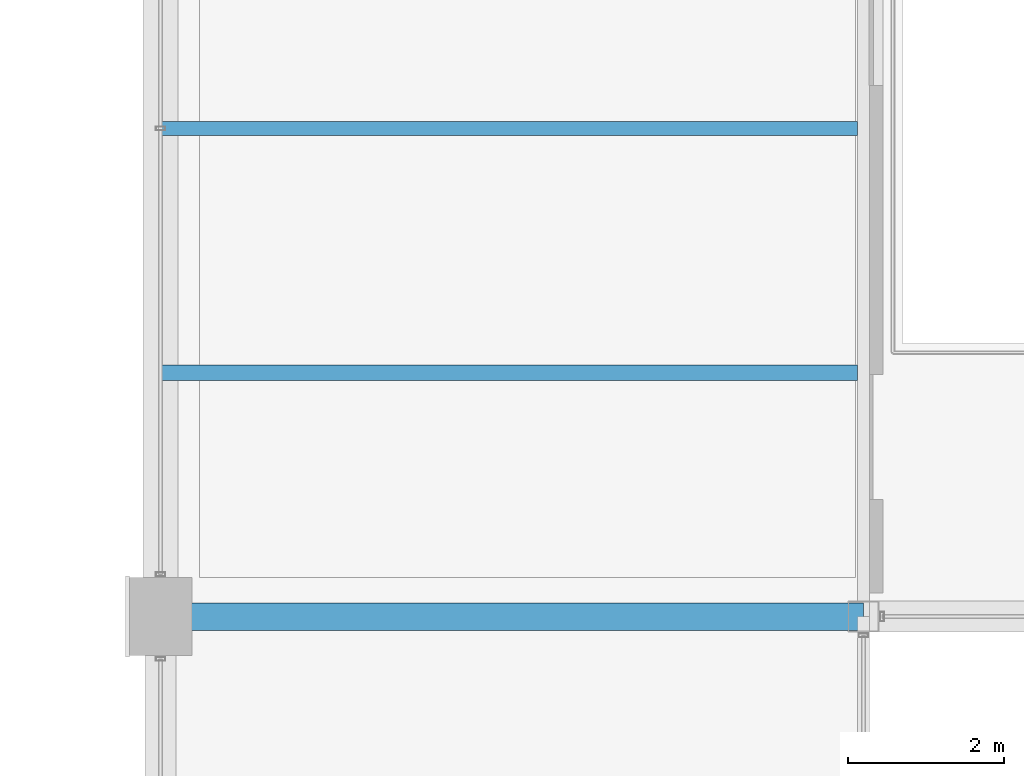
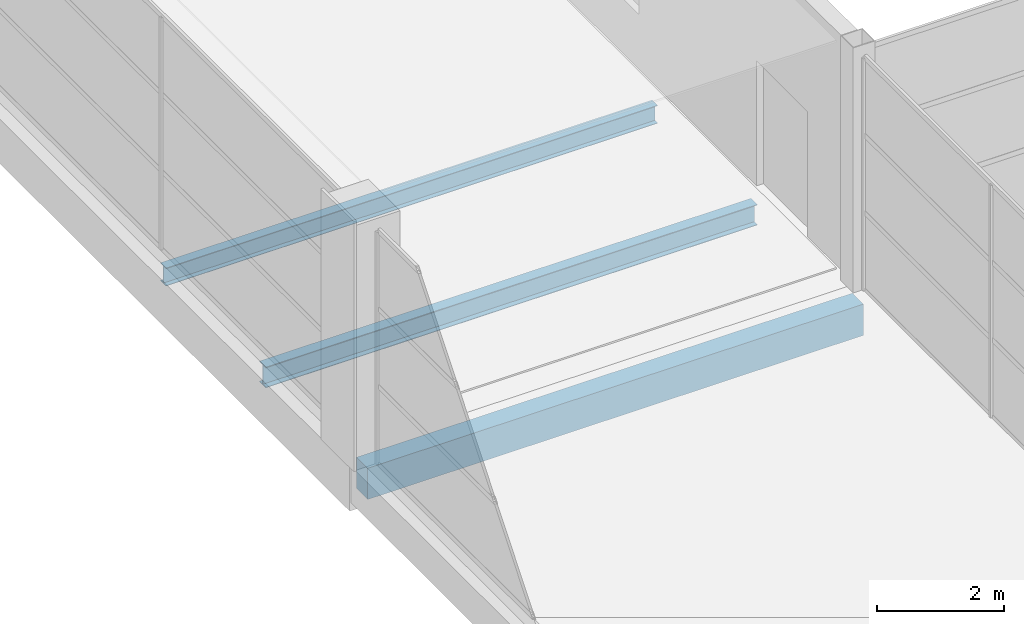
# One storey, part 73 of 112: 3 beams.
"""IFC4 building model written with IfcOpenShell, lengths in metres."""

from ifc_helpers import new_model, si_unit, direction, frame, origin, origin_2d, place, context, subcontext, project, spatial, rectangle, i_section, extrude, material, material_profile, profile_set, type_object, element, save


model = new_model("IFC4")

# Units and contexts
model_context = context("Model", 3, precision=1e-05, world=origin(), true_north=direction((0.0, 1.0)))
body_context = subcontext(model_context, "Body", "Model", "MODEL_VIEW")
ifc_project = project(units=[si_unit("LENGTHUNIT", "METRE"), si_unit("AREAUNIT", "SQUARE_METRE"), si_unit("VOLUMEUNIT", "CUBIC_METRE"), si_unit("PLANEANGLEUNIT", "RADIAN"), si_unit("MASSUNIT", "GRAM", prefix="KILO")], contexts=[model_context])

# Site, building, storey
site_placement = place(None, origin())
site = spatial("IfcSite", under=ifc_project, at=site_placement, CompositionType="ELEMENT")
building_placement = place(site_placement, origin())
building = spatial("IfcBuilding", under=site, at=building_placement, Name="Solvikara Media Centre", CompositionType="ELEMENT")
storey_placement = place(building_placement, frame((0.0, 0.0, 5.39990234375)))
storey = spatial("IfcBuildingStorey", under=building, at=storey_placement, Name="L01", CompositionType="ELEMENT", Elevation=5.39990234375)

# Beams
ifc_material_1 = material(Name="Concrete fc' 35 MPa (C35/45)", Category="concrete")
ifc_material_profile_1 = material_profile(ifc_material_1, rectangle(XDim=0.35009765625, YDim=0.60009765625, at=origin_2d()), Name="RC 350x600")
ifc_profile_set_1 = profile_set([ifc_material_profile_1], Name="Concrete fc' 35 MPa (C35/45)")
beam_type_1 = type_object("IfcBeamType", Name="BM-01", PredefinedType="BEAM", material=ifc_profile_set_1)
beam_1_placement = place(storey_placement, frame((127.5, 89.0, -0.599853515625), z_axis=(1.0, 0.0, 0.0), x_axis=(0.0, 1.0, 0.0)))
element("IfcBeam", 1, at=beam_1_placement, inside=storey, type_object=beam_type_1, Name="B-L01-X0517", PredefinedType="BEAM", context=body_context, shape_type="SweptSolid", body=[
    extrude(rectangle(XDim=0.35009765625, YDim=0.60009765625, at=origin_2d()), origin(), (0.0, 0.0, 1.0), 9.0),
])
ifc_material_2 = material(Name="Steel S355JR", Category="steel")
ifc_material_profile_2 = material_profile(ifc_material_2, i_section(OverallWidth=0.198974609375, OverallDepth=0.39599609375, WebThickness=0.007080078125, FlangeThickness=0.010986328125, at=origin_2d()), Name="WF 396x199x7x11")
ifc_profile_set_2 = profile_set([ifc_material_profile_2], Name="Steel S355JR")
beam_type_2 = type_object("IfcBeamType", Name="BM-37", PredefinedType="JOIST", material=ifc_profile_set_2)
beam_2_placement = place(storey_placement, frame((127.5, 92.125, -0.5), z_axis=(1.0, 0.0, 0.0), x_axis=(0.0, 1.0, 0.0)))
element("IfcBeam", 2, at=beam_2_placement, inside=storey, type_object=beam_type_2, Name="J-L01-0773", PredefinedType="JOIST", context=body_context, shape_type="SweptSolid", body=[
    extrude(i_section(OverallWidth=0.198974609375, OverallDepth=0.39599609375, WebThickness=0.007080078125, FlangeThickness=0.010986328125, at=origin_2d()), origin(), (0.0, 0.0, 1.0), 8.922119140625),
])
ifc_material_profile_3 = material_profile(ifc_material_2, i_section(OverallWidth=0.174072265625, OverallDepth=0.345947265625, WebThickness=0.006103515625, FlangeThickness=0.009033203125, at=origin_2d()), Name="WF 346x174x6x9")
ifc_profile_set_3 = profile_set([ifc_material_profile_3], Name="Steel S355JR")
beam_type_3 = type_object("IfcBeamType", Name="BM-38", PredefinedType="JOIST", material=ifc_profile_set_3)
beam_3_placement = place(storey_placement, frame((127.5, 95.25, -0.474853515625), z_axis=(1.0, 0.0, 0.0), x_axis=(0.0, 1.0, 0.0)))
element("IfcBeam", 3, at=beam_3_placement, inside=storey, type_object=beam_type_3, Name="J-L01-0774", PredefinedType="JOIST", context=body_context, shape_type="SweptSolid", body=[
    extrude(i_section(OverallWidth=0.174072265625, OverallDepth=0.345947265625, WebThickness=0.006103515625, FlangeThickness=0.009033203125, at=origin_2d()), origin(), (0.0, 0.0, 1.0), 8.922119140625),
])

save(model, "model.ifc")
